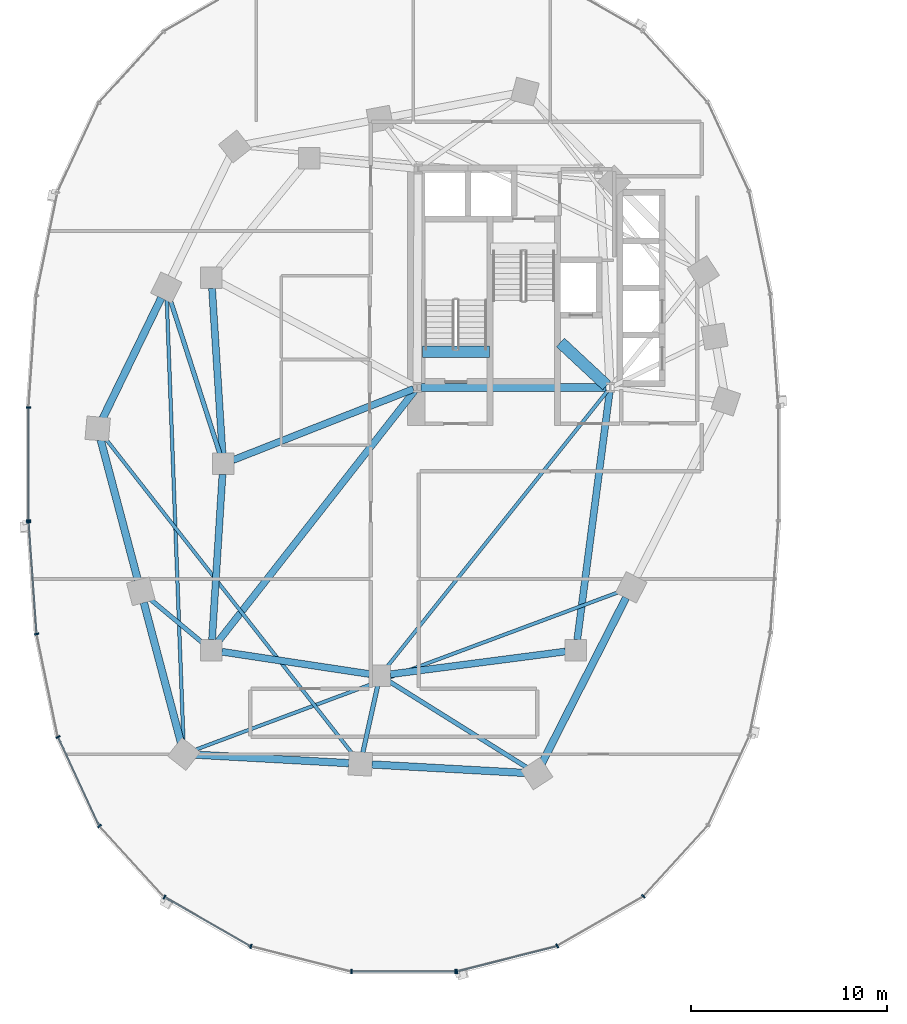
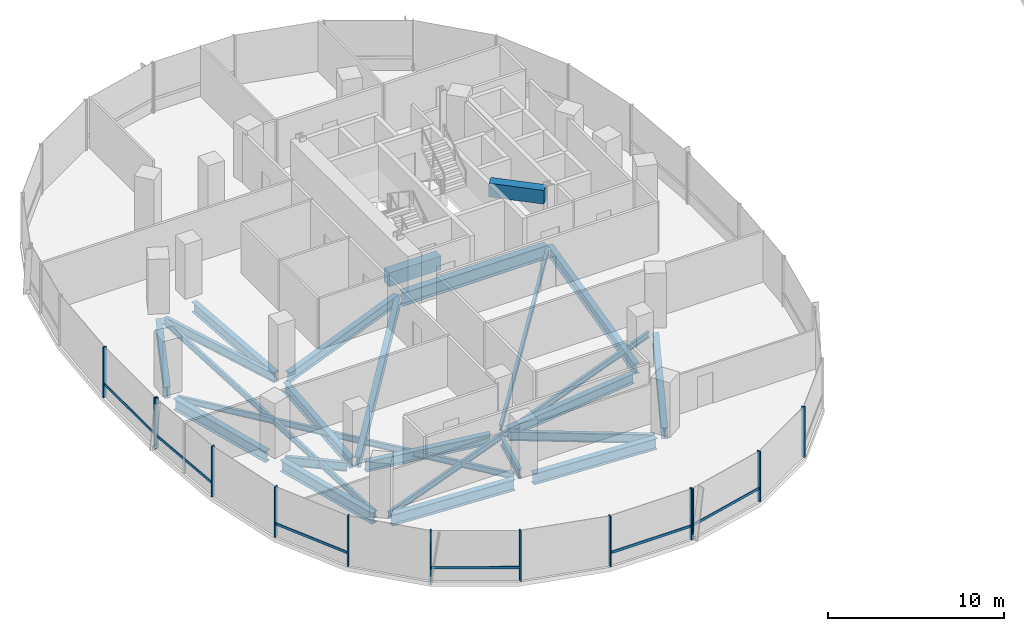
# One storey, part 2 of 21: 24 beams, 19 members, 3 elements without a shape of their own.
"""IFC4 building model written with IfcOpenShell, lengths in metres."""

from ifc_helpers import new_model, si_unit, direction, frame, origin, origin_2d, place, context, subcontext, project, spatial, rectangle, i_section, extrude, material, material_profile, profile_set, type_object, element, aggregate, save


model = new_model("IFC4")

# Units and contexts
model_context = context("Model", 3, precision=1e-05, world=origin(), true_north=direction((0.0, 1.0)))
body_context = subcontext(model_context, "Body", "Model", "MODEL_VIEW")
ifc_project = project(units=[si_unit("LENGTHUNIT", "METRE"), si_unit("AREAUNIT", "SQUARE_METRE"), si_unit("VOLUMEUNIT", "CUBIC_METRE"), si_unit("PLANEANGLEUNIT", "RADIAN"), si_unit("MASSUNIT", "GRAM", prefix="KILO"), si_unit("THERMODYNAMICTEMPERATUREUNIT", "KELVIN"), si_unit("POWERUNIT", "WATT")], contexts=[model_context])

# Site, building, storey
site_placement = place(None, origin())
site = spatial("IfcSite", under=ifc_project, at=site_placement, CompositionType="ELEMENT")
building_placement = place(site_placement, origin())
building = spatial("IfcBuilding", under=site, at=building_placement, Name="Cundina Bronze Exchange", CompositionType="ELEMENT")
storey_placement = place(building_placement, frame((0.0, 0.0, 65.800048828125)))
storey = spatial("IfcBuildingStorey", under=building, at=storey_placement, Name="L16", CompositionType="ELEMENT", Elevation=65.800048828125)

# Beams
ifc_material_1 = material(Name="Concrete C60/75", Category="concrete")
ifc_material_profile_1 = material_profile(ifc_material_1, rectangle(XDim=0.60009765625, YDim=0.949951171875, at=origin_2d()), Name="RC600X950", Category="concrete")
ifc_profile_set_1 = profile_set([ifc_material_profile_1], Name="Concrete C60/75")
beam_type_1 = type_object("IfcBeamType", Name="BM-COUP-RC950", PredefinedType="LINTEL", material=ifc_profile_set_1)
beam_1_placement = place(storey_placement, frame((-31.02001953125, 5.719970703125, -0.47509765625), z_axis=(1.0, 0.0, 0.0), x_axis=(0.0, 1.0, 0.0)))
element("IfcBeam", 1, at=beam_1_placement, inside=storey, type_object=beam_type_1, Name="L16 Stair W1 Landing Header Beam", PredefinedType="LINTEL", context=body_context, shape_type="SweptSolid", body=[
    extrude(rectangle(XDim=0.60009765625, YDim=0.949951171875, at=origin_2d()), origin(), (0.0, 0.0, 1.0), 3.39990234375),
])
beam_2_placement = place(storey_placement, frame((-23.989990234375, 6.199951171875, 3.02490234375), z_axis=(0.731490439815, -0.681851696822, 0.0), x_axis=(0.681851696822, 0.731490439815, 0.0)))
element("IfcBeam", 2, at=beam_2_placement, inside=storey, type_object=beam_type_1, Name="L16 W Core Shear Coupling Lintel Beam", PredefinedType="LINTEL", context=body_context, shape_type="SweptSolid", body=[
    extrude(rectangle(XDim=0.60009765625, YDim=0.949951171875, at=origin_2d()), origin(), (0.0, 0.0, 1.0), 3.226318359375),
])
ifc_material_2 = material(Name="Steel ASTM A992 Grade 50", Category="steel")
ifc_material_profile_2 = material_profile(ifc_material_2, i_section(OverallWidth=0.22998046875, OverallDepth=0.616943359375, WebThickness=0.01318359375, FlangeThickness=0.022216796875, FilletRadius=0.013916015625, at=origin_2d()), Name="W24X94", Category="steel")
ifc_profile_set_2 = profile_set([ifc_material_profile_2], Name="Steel ASTM A992 Grade 50")
beam_type_2 = type_object("IfcBeamType", Name="BM-FLR-W24B", PredefinedType="BEAM", material=ifc_profile_set_2)
beam_3_placement = place(storey_placement, frame((-41.364990234375, 0.51220703125, -0.608642578125), z_axis=(-0.306706454167, 0.951804155787, 0.0), x_axis=(-0.951804155787, -0.306706454167, 0.0)))
element("IfcBeam", 3, at=beam_3_placement, inside=storey, type_object=beam_type_2, Name="L16 Leg W Radial Floor Beam 07", PredefinedType="BEAM", context=body_context, shape_type="SweptSolid", body=[
    extrude(i_section(OverallWidth=0.22998046875, OverallDepth=0.616943359375, WebThickness=0.01318359375, FlangeThickness=0.022216796875, FilletRadius=0.013916015625, at=origin_2d()), origin(), (0.0, 0.0, 1.0), 8.329345703125),
])
beam_4_placement = place(storey_placement, frame((-42.21337890625, -9.155517578125, -0.608642578125), z_axis=(-0.768221279597, 0.640184399664, 0.0), x_axis=(-0.640184399664, -0.768221279597, 0.0)))
element("IfcBeam", 4, at=beam_4_placement, inside=storey, type_object=beam_type_2, Name="L16 Leg W Radial Floor Beam 09", PredefinedType="BEAM", context=body_context, shape_type="SweptSolid", body=[
    extrude(i_section(OverallWidth=0.22998046875, OverallDepth=0.616943359375, WebThickness=0.01318359375, FlangeThickness=0.022216796875, FilletRadius=0.013916015625, at=origin_2d()), origin(), (0.0, 0.0, 1.0), 3.56005859375),
])
beam_5_placement = place(storey_placement, frame((-33.316650390625, -11.3251953125, -0.608642578125), z_axis=(-0.216960137628, -0.976180464197, 0.0), x_axis=(0.976180464197, -0.216960137628, 0.0)))
element("IfcBeam", 5, at=beam_5_placement, inside=storey, type_object=beam_type_2, Name="L16 Leg W Radial Floor Beam 11", PredefinedType="BEAM", context=body_context, shape_type="SweptSolid", body=[
    extrude(i_section(OverallWidth=0.22998046875, OverallDepth=0.616943359375, WebThickness=0.01318359375, FlangeThickness=0.022216796875, FilletRadius=0.013916015625, at=origin_2d()), origin(), (0.0, 0.0, 1.0), 3.48388671875),
])
beam_6_placement = place(storey_placement, frame((-32.743896484375, -11.085205078125, -0.608642578125), z_axis=(0.848014812458, -0.529972525563, 0.0), x_axis=(0.529972525563, 0.848014812458, 0.0)))
element("IfcBeam", 6, at=beam_6_placement, inside=storey, type_object=beam_type_2, Name="L16 Leg W Radial Floor Beam 12", PredefinedType="BEAM", context=body_context, shape_type="SweptSolid", body=[
    extrude(i_section(OverallWidth=0.22998046875, OverallDepth=0.616943359375, WebThickness=0.01318359375, FlangeThickness=0.022216796875, FilletRadius=0.013916015625, at=origin_2d()), origin(), (0.0, 0.0, 1.0), 8.30810546875),
])
ifc_material_profile_3 = material_profile(ifc_material_2, i_section(OverallWidth=0.178955078125, OverallDepth=0.409912109375, WebThickness=0.0087890625, FlangeThickness=0.014404296875, FilletRadius=0.010986328125, at=origin_2d()), Name="W16X45", Category="steel")
ifc_profile_set_3 = profile_set([ifc_material_profile_3], Name="Steel ASTM A992 Grade 50")
beam_type_3 = type_object("IfcBeamType", Name="BM-JST-W16", PredefinedType="JOIST", material=ifc_profile_set_3)
beam_7_placement = place(storey_placement, frame((-21.577392578125, 3.740478515625, -0.505126953125), z_axis=(-0.62436887964, -0.781129632095, 0.0), x_axis=(0.781129632095, -0.62436887964, 0.0)))
element("IfcBeam", 7, at=beam_7_placement, inside=storey, type_object=beam_type_3, Name="L16 W Interior Core-to-Ring Joist 2", PredefinedType="JOIST", context=body_context, shape_type="SweptSolid", body=[
    extrude(i_section(OverallWidth=0.178955078125, OverallDepth=0.409912109375, WebThickness=0.0087890625, FlangeThickness=0.014404296875, FilletRadius=0.010986328125, at=origin_2d()), origin(), (0.0, 0.0, 1.0), 18.076904296875),
])
beam_8_placement = place(storey_placement, frame((-44.077880859375, 8.412353515625, -0.505126953125), z_axis=(0.037794949147, -0.999285515666, 0.0), x_axis=(0.999285515666, 0.037794949147, 0.0)))
element("IfcBeam", 8, at=beam_8_placement, inside=storey, type_object=beam_type_3, Name="L16 Leg W Lobe Floor Joist 07-10", PredefinedType="JOIST", context=body_context, shape_type="SweptSolid", body=[
    extrude(i_section(OverallWidth=0.178955078125, OverallDepth=0.409912109375, WebThickness=0.0087890625, FlangeThickness=0.014404296875, FilletRadius=0.010986328125, at=origin_2d()), origin(), (0.0, 0.0, 1.0), 22.640869140625),
])
beam_9_placement = place(storey_placement, frame((-47.2373046875, 1.337158203125, -0.505126953125), z_axis=(0.616803089524, -0.787117493614, 0.0), x_axis=(0.787117493614, 0.616803089524, 0.0)))
element("IfcBeam", 9, at=beam_9_placement, inside=storey, type_object=beam_type_3, Name="L16 Leg W Lobe Floor Joist 08-11", PredefinedType="JOIST", context=body_context, shape_type="SweptSolid", body=[
    extrude(i_section(OverallWidth=0.178955078125, OverallDepth=0.409912109375, WebThickness=0.0087890625, FlangeThickness=0.014404296875, FilletRadius=0.010986328125, at=origin_2d()), origin(), (0.0, 0.0, 1.0), 20.548828125),
])
beam_10_placement = place(storey_placement, frame((-42.64892578125, -14.5947265625, -0.505126953125), z_axis=(0.937127912449, 0.348986068074, 0.0), x_axis=(-0.348986068074, 0.937127912449, 0.0)))
element("IfcBeam", 10, at=beam_10_placement, inside=storey, type_object=beam_type_3, Name="L16 Leg W Lobe Floor Joist 10-13", PredefinedType="JOIST", context=body_context, shape_type="SweptSolid", body=[
    extrude(i_section(OverallWidth=0.178955078125, OverallDepth=0.409912109375, WebThickness=0.0087890625, FlangeThickness=0.014404296875, FilletRadius=0.010986328125, at=origin_2d()), origin(), (0.0, 0.0, 1.0), 23.18017578125),
])
ifc_material_profile_4 = material_profile(ifc_material_2, i_section(OverallWidth=0.35498046875, OverallDepth=0.695068359375, WebThickness=0.015380859375, FlangeThickness=0.02490234375, FilletRadius=0.01806640625, at=origin_2d()), Name="W27X146", Category="steel")
ifc_profile_set_4 = profile_set([ifc_material_profile_4], Name="Steel ASTM A992 Grade 50")
beam_type_4 = type_object("IfcBeamType", Name="BM-RING-W27", PredefinedType="USERDEFINED", material=ifc_profile_set_4)
for number, where, z_axis, x_axis, name in (
    (11, (-41.76611328125, 8.963134765625, -0.6474609375), (0.06303715519, -0.998011180832, 0.0), (0.998011180832, 0.06303715519, 0.0), "L16 W Inner Structural Ring Girder 03"),
    (12, (-41.23388671875, -0.536865234375, -0.6474609375), (-0.06303715519, -0.998011180832, 0.0), (0.998011180832, -0.06303715519, 0.0), "L16 W Inner Structural Ring Girder 04"),
):
    element("IfcBeam", number, at=place(storey_placement, frame(where, z_axis=z_axis, x_axis=x_axis)), inside=storey, type_object=beam_type_4, Name=name, ObjectType="GIRDER", PredefinedType="USERDEFINED", context=body_context, shape_type="SweptSolid", body=[
        extrude(i_section(OverallWidth=0.35498046875, OverallDepth=0.695068359375, WebThickness=0.015380859375, FlangeThickness=0.02490234375, FilletRadius=0.01806640625, at=origin_2d()), origin(), (0.0, 0.0, 1.0), 8.443115234375),
    ])
beam_11_placement = place(storey_placement, frame((-41.26806640625, -9.580322265625, -0.6474609375), z_axis=(0.988767489563, -0.149461873341, 0.0), x_axis=(0.149461873341, 0.988767489563, 0.0)))
element("IfcBeam", 13, at=beam_11_placement, inside=storey, type_object=beam_type_4, Name="L16 W Inner Structural Ring Girder 05", ObjectType="GIRDER", PredefinedType="USERDEFINED", context=body_context, shape_type="SweptSolid", body=[
    extrude(i_section(OverallWidth=0.35498046875, OverallDepth=0.695068359375, WebThickness=0.015380859375, FlangeThickness=0.02490234375, FilletRadius=0.01806640625, at=origin_2d()), origin(), (0.0, 0.0, 1.0), 7.621826171875),
])
beam_12_placement = place(storey_placement, frame((-32.66650390625, -10.730712890625, -0.6474609375), z_axis=(0.991654577907, 0.128923225666, 0.0), x_axis=(-0.128923225666, 0.991654577907, 0.0)))
element("IfcBeam", 14, at=beam_12_placement, inside=storey, type_object=beam_type_4, Name="L16 W Inner Structural Ring Girder 06", ObjectType="GIRDER", PredefinedType="USERDEFINED", context=body_context, shape_type="SweptSolid", body=[
    extrude(i_section(OverallWidth=0.35498046875, OverallDepth=0.695068359375, WebThickness=0.015380859375, FlangeThickness=0.02490234375, FilletRadius=0.01806640625, at=origin_2d()), origin(), (0.0, 0.0, 1.0), 9.00830078125),
])
beam_13_placement = place(storey_placement, frame((-23.13037109375, -8.966552734375, -0.6474609375), z_axis=(0.129507526533, 0.99157843894, 0.0), x_axis=(-0.99157843894, 0.129507526533, 0.0)))
element("IfcBeam", 15, at=beam_13_placement, inside=storey, type_object=beam_type_4, Name="L16 W Inner Structural Ring Girder 07", ObjectType="GIRDER", PredefinedType="USERDEFINED", context=body_context, shape_type="SweptSolid", body=[
    extrude(i_section(OverallWidth=0.35498046875, OverallDepth=0.695068359375, WebThickness=0.015380859375, FlangeThickness=0.02490234375, FilletRadius=0.01806640625, at=origin_2d()), origin(), (0.0, 0.0, 1.0), 12.77197265625),
])
beam_14_placement = place(storey_placement, frame((-31.48974609375, 3.8251953125, -0.6474609375), z_axis=(-0.930413235418, -0.366512225388, 0.0), x_axis=(0.366512225388, -0.930413235418, 0.0)))
element("IfcBeam", 16, at=beam_14_placement, inside=storey, type_object=beam_type_4, Name="L16 W Core-to-Waist Tie Beam 1", ObjectType="GIRDER", PredefinedType="USERDEFINED", context=body_context, shape_type="SweptSolid", body=[
    extrude(i_section(OverallWidth=0.35498046875, OverallDepth=0.695068359375, WebThickness=0.015380859375, FlangeThickness=0.02490234375, FilletRadius=0.01806640625, at=origin_2d()), origin(), (0.0, 0.0, 1.0), 9.8984375),
])
beam_15_placement = place(storey_placement, frame((-31.42578125, 3.739501953125, -0.6474609375), z_axis=(-0.616789275748, -0.787128318206, 0.0), x_axis=(0.787128318206, -0.616789275748, 0.0)))
element("IfcBeam", 17, at=beam_15_placement, inside=storey, type_object=beam_type_4, Name="L16 W Core-to-Waist Tie Beam 3", ObjectType="GIRDER", PredefinedType="USERDEFINED", context=body_context, shape_type="SweptSolid", body=[
    extrude(i_section(OverallWidth=0.35498046875, OverallDepth=0.695068359375, WebThickness=0.015380859375, FlangeThickness=0.02490234375, FilletRadius=0.01806640625, at=origin_2d()), origin(), (0.0, 0.0, 1.0), 16.281982421875),
])
ifc_material_profile_5 = material_profile(ifc_material_2, i_section(OverallWidth=0.381103515625, OverallDepth=0.77294921875, WebThickness=0.0166015625, FlangeThickness=0.027099609375, FilletRadius=0.01904296875, at=origin_2d()), Name="W30X173", Category="steel")
ifc_profile_set_5 = profile_set([ifc_material_profile_5], Name="Steel ASTM A992 Grade 50")
beam_type_5 = type_object("IfcBeamType", Name="BM-RING-W30", PredefinedType="USERDEFINED", material=ifc_profile_set_5)
beam_16_placement = place(storey_placement, frame((-44.357177734375, 8.47119140625, -0.6865234375), z_axis=(-0.437190698904, -0.899368830231, 0.0), x_axis=(0.899368830231, -0.437190698904, 0.0)))
element("IfcBeam", 18, at=beam_16_placement, inside=storey, type_object=beam_type_5, Name="L16 W Perimeter Ring Girder 07", ObjectType="GIRDER", PredefinedType="USERDEFINED", context=body_context, shape_type="SweptSolid", body=[
    extrude(i_section(OverallWidth=0.381103515625, OverallDepth=0.77294921875, WebThickness=0.0166015625, FlangeThickness=0.027099609375, FilletRadius=0.01904296875, at=origin_2d()), origin(), (0.0, 0.0, 1.0), 6.82958984375),
])
for number, where, z_axis, x_axis, name in (
    (19, (-47.44921875, 1.231689453125, -0.6865234375), (0.256177785604, -0.966629682021, 0.0), (0.966629682021, 0.256177785604, 0.0), "L16 W Perimeter Ring Girder 08"),
    (20, (-45.249267578125, -7.068359375, -0.6865234375), (0.256208567826, -0.966621523541, 0.0), (0.966621523541, 0.256208567826, 0.0), "L16 W Perimeter Ring Girder 09"),
):
    element("IfcBeam", number, at=place(storey_placement, frame(where, z_axis=z_axis, x_axis=x_axis)), inside=storey, type_object=beam_type_5, Name=name, ObjectType="GIRDER", PredefinedType="USERDEFINED", context=body_context, shape_type="SweptSolid", body=[
        extrude(i_section(OverallWidth=0.381103515625, OverallDepth=0.77294921875, WebThickness=0.0166015625, FlangeThickness=0.027099609375, FilletRadius=0.01904296875, at=origin_2d()), origin(), (0.0, 0.0, 1.0), 7.41064453125),
    ])
for number, where, z_axis, x_axis, name in (
    (21, (-42.61279296875, -14.83251953125, -0.6865234375), (0.998459969805, -0.055476920391, 0.0), (0.055476920391, 0.998459969805, 0.0), "L16 W Perimeter Ring Girder 10"),
    (22, (-33.61279296875, -15.33251953125, -0.6865234375), (0.998459969805, -0.055476920391, 0.0), (0.055476920391, 0.998459969805, 0.0), "L16 W Perimeter Ring Girder 11"),
):
    element("IfcBeam", number, at=place(storey_placement, frame(where, z_axis=z_axis, x_axis=x_axis)), inside=storey, type_object=beam_type_5, Name=name, ObjectType="GIRDER", PredefinedType="USERDEFINED", context=body_context, shape_type="SweptSolid", body=[
        extrude(i_section(OverallWidth=0.381103515625, OverallDepth=0.77294921875, WebThickness=0.0166015625, FlangeThickness=0.027099609375, FilletRadius=0.01904296875, at=origin_2d()), origin(), (0.0, 0.0, 1.0), 7.837646484375),
    ])
beam_17_placement = place(storey_placement, frame((-24.93359375, -15.275634765625, -0.6865234375), z_axis=(0.452819633606, 0.891602141889, 0.0), x_axis=(-0.891602141889, 0.452819633606, 0.0)))
element("IfcBeam", 23, at=beam_17_placement, inside=storey, type_object=beam_type_5, Name="L16 W Perimeter Ring Girder 12", ObjectType="GIRDER", PredefinedType="USERDEFINED", context=body_context, shape_type="SweptSolid", body=[
    extrude(i_section(OverallWidth=0.381103515625, OverallDepth=0.77294921875, WebThickness=0.0166015625, FlangeThickness=0.027099609375, FilletRadius=0.01904296875, at=origin_2d()), origin(), (0.0, 0.0, 1.0), 9.47900390625),
])
ifc_material_profile_6 = material_profile(ifc_material_2, i_section(OverallWidth=0.41796875, OverallDepth=0.927001953125, WebThickness=0.019287109375, FlangeThickness=0.031982421875, FilletRadius=0.02392578125, at=origin_2d()), Name="W36X231", Category="steel")
ifc_profile_set_6 = profile_set([ifc_material_profile_6], Name="Steel ASTM A992 Grade 50")
beam_type_6 = type_object("IfcBeamType", Name="BM-WRN-W36B", PredefinedType="USERDEFINED", material=ifc_profile_set_6)
beam_18_placement = place(storey_placement, frame((-31.095947265625, 3.89990234375, -0.763427734375), z_axis=(1.0, 0.0, 0.0), x_axis=(0.0, 1.0, 0.0)))
element("IfcBeam", 24, at=beam_18_placement, inside=storey, type_object=beam_type_6, Name="L16 W Core Perimeter Tie Girder 1", ObjectType="GIRDER", PredefinedType="USERDEFINED", context=body_context, shape_type="SweptSolid", body=[
    extrude(i_section(OverallWidth=0.41796875, OverallDepth=0.927001953125, WebThickness=0.019287109375, FlangeThickness=0.031982421875, FilletRadius=0.02392578125, at=origin_2d()), origin(), (0.0, 0.0, 1.0), 9.44189453125),
])

# Curtain wall, members
ifc_material_3 = material(Name="Anodised Bronze Aluminium 6063-T6", Category="aluminium")
curtain_wall_type = type_object("IfcCurtainWallType", Name="CWS-TRD-LOW", PredefinedType="NOTDEFINED", material=ifc_material_3)
curtain_wall_1_placement = place(storey_placement, origin())
curtain_wall_1 = element("IfcCurtainWall", 25, at=curtain_wall_1_placement, inside=storey, type_object=curtain_wall_type, Name="L16 CW-02 Curtain Wall Run CWR-L16-W2", PredefinedType="NOTDEFINED")
ifc_material_profile_7 = material_profile(ifc_material_3, rectangle(XDim=0.074951171875, YDim=0.219970703125, at=origin_2d()), Name="AL75X220", Category="aluminium")
ifc_profile_set_7 = profile_set([ifc_material_profile_7], Name="Anodised Bronze Aluminium 6063-T6")
member_type_1 = type_object("IfcMemberType", Name="CWM-MUL-220", PredefinedType="MULLION", material=ifc_profile_set_7)
member_1_placement = place(storey_placement, frame((-51.1279296875, 2.880615234375, 0.0), z_axis=(0.0, 0.0, 1.0), x_axis=(0.0, -1.0, 0.0)))
member_1 = element("IfcMember", 26, at=member_1_placement, type_object=member_type_1, Name="CW-02 Mullion 7", PredefinedType="MULLION", context=body_context, shape_type="SweptSolid", body=[
    extrude(rectangle(XDim=0.074951171875, YDim=0.219970703125, at=origin_2d()), origin(), (0.0, 0.0, 1.0), 3.5),
])
member_2_placement = place(storey_placement, frame((-51.1279296875, -2.880615234375, 0.0), z_axis=(0.0, 0.0, 1.0), x_axis=(0.0, -1.0, 0.0)))
member_2 = element("IfcMember", 27, at=member_2_placement, type_object=member_type_1, Name="CW-02 End Mullion", PredefinedType="MULLION", context=body_context, shape_type="SweptSolid", body=[
    extrude(rectangle(XDim=0.074951171875, YDim=0.219970703125, at=origin_2d()), origin(), (0.0, 0.0, 1.0), 3.5),
])

curtain_wall_2_placement = place(storey_placement, origin())
curtain_wall_2 = element("IfcCurtainWall", 28, at=curtain_wall_2_placement, inside=storey, type_object=curtain_wall_type, Name="L16 CW-02 Curtain Wall Run CWR-L16-W3", PredefinedType="NOTDEFINED")
member_3_placement = place(storey_placement, frame((-51.12451171875, -2.976318359375, 0.0), z_axis=(0.0, 0.0, 1.0), x_axis=(0.070278787473, -0.997527389113, 0.0)))
member_3 = element("IfcMember", 29, at=member_3_placement, type_object=member_type_1, Name="CW-02 Mullion 1", PredefinedType="MULLION", context=body_context, shape_type="SweptSolid", body=[
    extrude(rectangle(XDim=0.074951171875, YDim=0.219970703125, at=origin_2d()), origin(), (0.0, 0.0, 1.0), 3.5),
])
member_4_placement = place(storey_placement, frame((-50.717041015625, -8.67822265625, 0.0), z_axis=(0.0, 0.0, 1.0), x_axis=(0.201419845156, -0.979505000486, 0.0)))
member_4 = element("IfcMember", 30, at=member_4_placement, type_object=member_type_1, Name="CW-02 Mullion 2", PredefinedType="MULLION", context=body_context, shape_type="SweptSolid", body=[
    extrude(rectangle(XDim=0.074951171875, YDim=0.219970703125, at=origin_2d()), origin(), (0.0, 0.0, 1.0), 3.5),
])
member_5_placement = place(storey_placement, frame((-49.6279296875, -13.931884765625, 0.0), z_axis=(0.0, 0.0, 1.0), x_axis=(0.42087749791, -0.907117485088, 0.0)))
member_5 = element("IfcMember", 31, at=member_5_placement, type_object=member_type_1, Name="CW-02 Mullion 3", PredefinedType="MULLION", context=body_context, shape_type="SweptSolid", body=[
    extrude(rectangle(XDim=0.074951171875, YDim=0.219970703125, at=origin_2d()), origin(), (0.0, 0.0, 1.0), 3.5),
])
member_6_placement = place(storey_placement, frame((-47.508544921875, -18.47705078125, 0.0), z_axis=(0.0, 0.0, 1.0), x_axis=(0.674302387584, -0.738455340626, 0.0)))
member_6 = element("IfcMember", 32, at=member_6_placement, type_object=member_type_1, Name="CW-02 Mullion 4", PredefinedType="MULLION", context=body_context, shape_type="SweptSolid", body=[
    extrude(rectangle(XDim=0.074951171875, YDim=0.219970703125, at=origin_2d()), origin(), (0.0, 0.0, 1.0), 3.5),
])
member_7_placement = place(storey_placement, frame((-44.189697265625, -22.097412109375, 0.0), z_axis=(0.0, 0.0, 1.0), x_axis=(0.867070701164, -0.498185105339, 0.0)))
member_7 = element("IfcMember", 33, at=member_7_placement, type_object=member_type_1, Name="CW-02 Mullion 5", PredefinedType="MULLION", context=body_context, shape_type="SweptSolid", body=[
    extrude(rectangle(XDim=0.074951171875, YDim=0.219970703125, at=origin_2d()), origin(), (0.0, 0.0, 1.0), 3.5),
])
member_8_placement = place(storey_placement, frame((-39.78515625, -24.61669921875, 0.0), z_axis=(0.0, 0.0, 1.0), x_axis=(0.969488149345, -0.245138182011, 0.0)))
member_8 = element("IfcMember", 34, at=member_8_placement, type_object=member_type_1, Name="CW-02 Mullion 6", PredefinedType="MULLION", context=body_context, shape_type="SweptSolid", body=[
    extrude(rectangle(XDim=0.074951171875, YDim=0.219970703125, at=origin_2d()), origin(), (0.0, 0.0, 1.0), 3.5),
])
member_9_placement = place(storey_placement, frame((-34.654541015625, -25.905029296875, 0.0), z_axis=(0.0, 0.0, 1.0), x_axis=(1.0, 0.0, 0.0)))
member_9 = element("IfcMember", 35, at=member_9_placement, type_object=member_type_1, Name="CW-02 Mullion 7", PredefinedType="MULLION", context=body_context, shape_type="SweptSolid", body=[
    extrude(rectangle(XDim=0.074951171875, YDim=0.219970703125, at=origin_2d()), origin(), (0.0, 0.0, 1.0), 3.5),
])
member_10_placement = place(storey_placement, frame((-29.345458984375, -25.905029296875, 0.0), z_axis=(0.0, 0.0, 1.0), x_axis=(1.0, 0.0, 0.0)))
member_10 = element("IfcMember", 36, at=member_10_placement, type_object=member_type_1, Name="CW-02 End Mullion", PredefinedType="MULLION", context=body_context, shape_type="SweptSolid", body=[
    extrude(rectangle(XDim=0.074951171875, YDim=0.219970703125, at=origin_2d()), origin(), (0.0, 0.0, 1.0), 3.5),
])

curtain_wall_3_placement = place(storey_placement, origin())
curtain_wall_3 = element("IfcCurtainWall", 37, at=curtain_wall_3_placement, inside=storey, type_object=curtain_wall_type, Name="L16 CW-02 Curtain Wall Run CWR-L16-W4", PredefinedType="NOTDEFINED")
member_11_placement = place(storey_placement, frame((-29.27392578125, -25.89599609375, 0.0), z_axis=(0.0, 0.0, 1.0), x_axis=(0.969488149345, 0.245138182011, 0.0)))
member_11 = element("IfcMember", 38, at=member_11_placement, type_object=member_type_1, Name="CW-02 Mullion 1", PredefinedType="MULLION", context=body_context, shape_type="SweptSolid", body=[
    extrude(rectangle(XDim=0.074951171875, YDim=0.219970703125, at=origin_2d()), origin(), (0.0, 0.0, 1.0), 3.5),
])
member_12_placement = place(storey_placement, frame((-24.151123046875, -24.591064453125, 0.0), z_axis=(0.0, 0.0, 1.0), x_axis=(0.867070701164, 0.498185105339, 0.0)))
member_12 = element("IfcMember", 39, at=member_12_placement, type_object=member_type_1, Name="CW-02 Mullion 2", PredefinedType="MULLION", context=body_context, shape_type="SweptSolid", body=[
    extrude(rectangle(XDim=0.074951171875, YDim=0.219970703125, at=origin_2d()), origin(), (0.0, 0.0, 1.0), 3.5),
])
member_13_placement = place(storey_placement, frame((-19.760498046875, -22.0576171875, 0.0), z_axis=(0.0, 0.0, 1.0), x_axis=(0.674302387584, 0.738455340626, 0.0)))
member_13 = element("IfcMember", 40, at=member_13_placement, type_object=member_type_1, Name="CW-02 Mullion 3", PredefinedType="MULLION", context=body_context, shape_type="SweptSolid", body=[
    extrude(rectangle(XDim=0.074951171875, YDim=0.219970703125, at=origin_2d()), origin(), (0.0, 0.0, 1.0), 3.5),
])

# Member
ifc_material_profile_8 = material_profile(ifc_material_3, rectangle(XDim=0.070068359375, YDim=0.179931640625, at=origin_2d()), Name="AL70X180", Category="aluminium")
ifc_profile_set_8 = profile_set([ifc_material_profile_8], Name="Anodised Bronze Aluminium 6063-T6")
member_type_2 = type_object("IfcMemberType", Name="CWM-TRN-180", PredefinedType="USERDEFINED", material=ifc_profile_set_8)
member_14_placement = place(storey_placement, frame((-51.1279296875, 2.839111328125, 0.919921875), z_axis=(0.0, -1.0, 0.0), x_axis=(1.0, 0.0, 0.0)))
member_14 = element("IfcMember", 41, at=member_14_placement, type_object=member_type_2, Name="CW-02 Spandrel Transom 7", ObjectType="TRANSOM", PredefinedType="USERDEFINED", context=body_context, shape_type="SweptSolid", body=[
    extrude(rectangle(XDim=0.070068359375, YDim=0.179931640625, at=origin_2d()), origin(), (0.0, 0.0, 1.0), 5.67822265625),
])

aggregate(curtain_wall_1, [member_1, member_2, member_14])

member_15_placement = place(storey_placement, frame((-51.12158203125, -3.017333984375, 0.919921875), z_axis=(0.070260714471, -0.997528662246, 0.0), x_axis=(0.997528662246, 0.070260714471, 0.0)))
member_15 = element("IfcMember", 42, at=member_15_placement, type_object=member_type_2, Name="CW-02 Spandrel Transom 1", ObjectType="TRANSOM", PredefinedType="USERDEFINED", context=body_context, shape_type="SweptSolid", body=[
    extrude(rectangle(XDim=0.070068359375, YDim=0.179931640625, at=origin_2d()), origin(), (0.0, 0.0, 1.0), 5.629150390625),
])

member_16_placement = place(storey_placement, frame((-49.610595703125, -13.96923828125, 0.919921875), z_axis=(0.420811422796, -0.907148139195, 0.0), x_axis=(0.907148139195, 0.420811422796, 0.0)))
member_16 = element("IfcMember", 43, at=member_16_placement, type_object=member_type_2, Name="CW-02 Spandrel Transom 3", ObjectType="TRANSOM", PredefinedType="USERDEFINED", context=body_context, shape_type="SweptSolid", body=[
    extrude(rectangle(XDim=0.070068359375, YDim=0.179931640625, at=origin_2d()), origin(), (0.0, 0.0, 1.0), 4.95166015625),
])

member_17_placement = place(storey_placement, frame((-44.154052734375, -22.117919921875, 0.919921875), z_axis=(0.867097475651, -0.498138502546, 0.0), x_axis=(0.498138502546, 0.867097475651, 0.0)))
member_17 = element("IfcMember", 44, at=member_17_placement, type_object=member_type_2, Name="CW-02 Spandrel Transom 5", ObjectType="TRANSOM", PredefinedType="USERDEFINED", context=body_context, shape_type="SweptSolid", body=[
    extrude(rectangle(XDim=0.070068359375, YDim=0.179931640625, at=origin_2d()), origin(), (0.0, 0.0, 1.0), 5.00634765625),
])

member_18_placement = place(storey_placement, frame((-34.61328125, -25.905029296875, 0.919921875), z_axis=(1.0, 0.0, 0.0), x_axis=(0.0, 1.0, 0.0)))
member_18 = element("IfcMember", 45, at=member_18_placement, type_object=member_type_2, Name="CW-02 Spandrel Transom 7", ObjectType="TRANSOM", PredefinedType="USERDEFINED", context=body_context, shape_type="SweptSolid", body=[
    extrude(rectangle(XDim=0.070068359375, YDim=0.179931640625, at=origin_2d()), origin(), (0.0, 0.0, 1.0), 5.2265625),
])

aggregate(curtain_wall_2, [member_3, member_15, member_4, member_5, member_16, member_6, member_7, member_17, member_8, member_9, member_10, member_18])

member_19_placement = place(storey_placement, frame((-29.23388671875, -25.885986328125, 0.919921875), z_axis=(0.969483968866, 0.245154714644, 0.0), x_axis=(-0.245154714644, 0.969483968866, 0.0)))
member_19 = element("IfcMember", 46, at=member_19_placement, type_object=member_type_2, Name="CW-02 Spandrel Transom 1", ObjectType="TRANSOM", PredefinedType="USERDEFINED", context=body_context, shape_type="SweptSolid", body=[
    extrude(rectangle(XDim=0.070068359375, YDim=0.179931640625, at=origin_2d()), origin(), (0.0, 0.0, 1.0), 5.21826171875),
])

aggregate(curtain_wall_3, [member_11, member_19, member_12, member_13])

save(model, "model.ifc")
